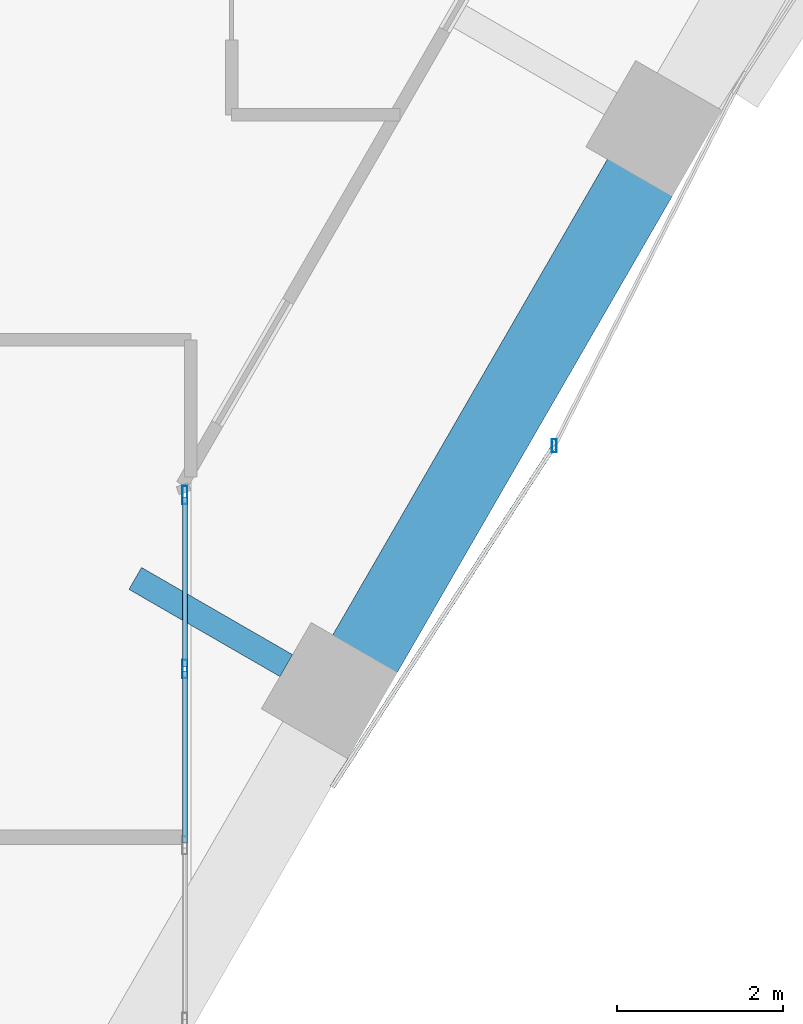
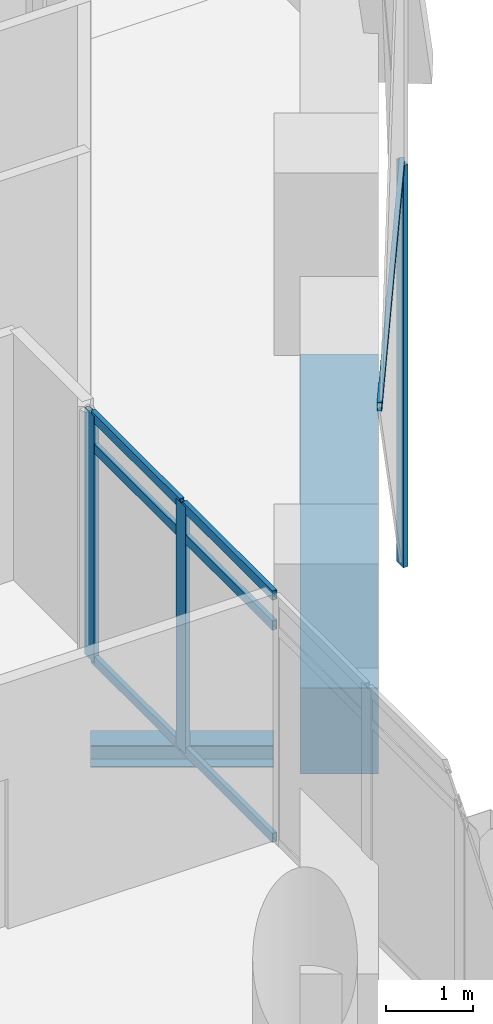
# One storey, part 13 of 38: 10 members, 2 beams, 3 elements without a shape of their own.
"""IFC4 building model written with IfcOpenShell, lengths in metres."""

from ifc_helpers import new_model, si_unit, direction, frame, origin, origin_2d, place, context, subcontext, project, spatial, rectangle, hollow_rectangle, i_section, extrude, material, material_profile, profile_set, type_object, element, aggregate, save


model = new_model("IFC4")

# Units and contexts
model_context = context("Model", 3, precision=1e-05, world=origin(), true_north=direction((0.0, 1.0)))
body_context = subcontext(model_context, "Body", "Model", "MODEL_VIEW")
ifc_project = project(units=[si_unit("LENGTHUNIT", "METRE"), si_unit("AREAUNIT", "SQUARE_METRE"), si_unit("VOLUMEUNIT", "CUBIC_METRE"), si_unit("PLANEANGLEUNIT", "RADIAN"), si_unit("MASSUNIT", "GRAM", prefix="KILO")], contexts=[model_context])

# Site, building, storey
site_placement = place(None, origin())
site = spatial("IfcSite", under=ifc_project, at=site_placement, CompositionType="ELEMENT")
building_placement = place(site_placement, origin())
building = spatial("IfcBuilding", under=site, at=building_placement, Name="Ostrander Bayou Hotel Tower", CompositionType="ELEMENT")
storey_placement = place(building_placement, frame((0.0, 0.0, 96.75)))
storey = spatial("IfcBuildingStorey", under=building, at=storey_placement, Name="L24", CompositionType="ELEMENT", Elevation=96.75)

# Curtain wall, members
ifc_material_1 = material(Name="Aluminium and clear glass", Category="aluminium")
curtain_wall_type_1 = type_object("IfcCurtainWallType", Name="CW-BAR glazed wall", PredefinedType="NOTDEFINED", material=ifc_material_1)
curtain_wall_1_placement = place(storey_placement, origin())
curtain_wall_1 = element("IfcCurtainWall", 1, at=curtain_wall_1_placement, inside=storey, type_object=curtain_wall_type_1, Name="CW-BAR L24:SB2S:W", PredefinedType="NOTDEFINED")
ifc_material_2 = material(Name="Aluminium", Category="aluminium")
ifc_material_profile_1 = material_profile(ifc_material_2, hollow_rectangle(XDim=0.06005859375, YDim=0.219970703125, WallThickness=0.00390625, at=origin_2d()))
ifc_profile_set_1 = profile_set([ifc_material_profile_1], Name="Aluminium")
member_type_1 = type_object("IfcMemberType", Name="CW-BR mullion 60 x 220 mm", PredefinedType="MULLION", material=ifc_profile_set_1)
member_1_placement = place(storey_placement, frame((13.3671875, -10.877197265625, 0.0), z_axis=(0.0, 0.0, 1.0), x_axis=(1.0, 0.0, 0.0)))
member_1 = element("IfcMember", 2, at=member_1_placement, type_object=member_type_1, Name="CW-BAR mullion 1", PredefinedType="MULLION", context=body_context, shape_type="SweptSolid", body=[
    extrude(hollow_rectangle(XDim=0.06005859375, YDim=0.219970703125, WallThickness=0.00390625, at=origin_2d()), origin(), (0.0, 0.0, 1.0), 3.449951171875),
])
member_2_placement = place(storey_placement, frame((13.3671875, -12.972412109375, 0.0), z_axis=(0.0, 0.0, 1.0), x_axis=(1.0, 0.0, 0.0)))
member_2 = element("IfcMember", 3, at=member_2_placement, type_object=member_type_1, Name="CW-BAR mullion 2", PredefinedType="MULLION", context=body_context, shape_type="SweptSolid", body=[
    extrude(hollow_rectangle(XDim=0.06005859375, YDim=0.219970703125, WallThickness=0.00390625, at=origin_2d()), origin(), (0.0, 0.0, 1.0), 3.449951171875),
])
ifc_material_3 = material(Name="Aluminium", Category="aluminium")
ifc_material_profile_2 = material_profile(ifc_material_3, hollow_rectangle(XDim=0.06005859375, YDim=0.1298828125, WallThickness=0.00390625, at=origin_2d()))
ifc_profile_set_2 = profile_set([ifc_material_profile_2], Name="Aluminium")
member_type_2 = type_object("IfcMemberType", Name="CW-BR transom 60 x 130 mm", PredefinedType="USERDEFINED", material=ifc_profile_set_2)
member_3_placement = place(storey_placement, frame((13.3671875, -10.9072265625, 0.030029296875), z_axis=(0.0, -1.0, 0.0), x_axis=(1.0, 0.0, 0.0)))
member_3 = element("IfcMember", 4, at=member_3_placement, type_object=member_type_2, Name="CW-BAR transom 1.1", ObjectType="TRANSOM", PredefinedType="USERDEFINED", context=body_context, shape_type="SweptSolid", body=[
    extrude(hollow_rectangle(XDim=0.06005859375, YDim=0.1298828125, WallThickness=0.00390625, at=origin_2d()), origin(), (0.0, 0.0, 1.0), 2.03515625),
])
member_4_placement = place(storey_placement, frame((13.3671875, -10.9072265625, 3.0), z_axis=(0.0, -1.0, 0.0), x_axis=(1.0, 0.0, 0.0)))
member_4 = element("IfcMember", 5, at=member_4_placement, type_object=member_type_2, Name="CW-BAR transom 1.2", ObjectType="TRANSOM", PredefinedType="USERDEFINED", context=body_context, shape_type="SweptSolid", body=[
    extrude(hollow_rectangle(XDim=0.06005859375, YDim=0.1298828125, WallThickness=0.00390625, at=origin_2d()), origin(), (0.0, 0.0, 1.0), 2.03515625),
])
member_5_placement = place(storey_placement, frame((13.3671875, -10.9072265625, 3.419921875), z_axis=(0.0, -1.0, 0.0), x_axis=(1.0, 0.0, 0.0)))
member_5 = element("IfcMember", 6, at=member_5_placement, type_object=member_type_2, Name="CW-BAR transom 1.3", ObjectType="TRANSOM", PredefinedType="USERDEFINED", context=body_context, shape_type="SweptSolid", body=[
    extrude(hollow_rectangle(XDim=0.06005859375, YDim=0.1298828125, WallThickness=0.00390625, at=origin_2d()), origin(), (0.0, 0.0, 1.0), 2.03515625),
])
member_6_placement = place(storey_placement, frame((13.3671875, -13.00244140625, 0.030029296875), z_axis=(0.0, -1.0, 0.0), x_axis=(1.0, 0.0, 0.0)))
member_6 = element("IfcMember", 7, at=member_6_placement, type_object=member_type_2, Name="CW-BAR transom 2.1", ObjectType="TRANSOM", PredefinedType="USERDEFINED", context=body_context, shape_type="SweptSolid", body=[
    extrude(hollow_rectangle(XDim=0.06005859375, YDim=0.1298828125, WallThickness=0.00390625, at=origin_2d()), origin(), (0.0, 0.0, 1.0), 2.06494140625),
])
member_7_placement = place(storey_placement, frame((13.3671875, -13.00244140625, 3.0), z_axis=(0.0, -1.0, 0.0), x_axis=(1.0, 0.0, 0.0)))
member_7 = element("IfcMember", 8, at=member_7_placement, type_object=member_type_2, Name="CW-BAR transom 2.2", ObjectType="TRANSOM", PredefinedType="USERDEFINED", context=body_context, shape_type="SweptSolid", body=[
    extrude(hollow_rectangle(XDim=0.06005859375, YDim=0.1298828125, WallThickness=0.00390625, at=origin_2d()), origin(), (0.0, 0.0, 1.0), 2.06494140625),
])
member_8_placement = place(storey_placement, frame((13.3671875, -13.00244140625, 3.419921875), z_axis=(0.0, -1.0, 0.0), x_axis=(1.0, 0.0, 0.0)))
member_8 = element("IfcMember", 9, at=member_8_placement, type_object=member_type_2, Name="CW-BAR transom 2.3", ObjectType="TRANSOM", PredefinedType="USERDEFINED", context=body_context, shape_type="SweptSolid", body=[
    extrude(hollow_rectangle(XDim=0.06005859375, YDim=0.1298828125, WallThickness=0.00390625, at=origin_2d()), origin(), (0.0, 0.0, 1.0), 2.06494140625),
])
aggregate(curtain_wall_1, [member_1, member_2, member_3, member_4, member_5, member_6, member_7, member_8])

# Curtain wall, member
ifc_material_4 = material(Name="Aluminium and clear glass", Category="aluminium")
curtain_wall_type_2 = type_object("IfcCurtainWallType", Name="CW-LAT lattice glazing", PredefinedType="NOTDEFINED", material=ifc_material_4)
curtain_wall_2_placement = place(storey_placement, origin())
curtain_wall_2 = element("IfcCurtainWall", 10, at=curtain_wall_2_placement, inside=storey, type_object=curtain_wall_type_2, Name="CW-LAT L24 SE 1", PredefinedType="NOTDEFINED")
ifc_material_5 = material(Name="Aluminium", Category="aluminium")
ifc_material_profile_3 = material_profile(ifc_material_5, hollow_rectangle(XDim=0.06005859375, YDim=0.159912109375, WallThickness=0.00390625, at=origin_2d()))
ifc_profile_set_3 = profile_set([ifc_material_profile_3], Name="Aluminium")
member_type_3 = type_object("IfcMemberType", Name="CW-LA mullion 60 x 160 mm", PredefinedType="MULLION", material=ifc_profile_set_3)
member_9_placement = place(storey_placement, frame((17.814208984375, -10.284912109375, -0.60009765625), z_axis=(0.0, 0.0, 1.0), x_axis=(1.0, 0.0, 0.0)))
member_9 = element("IfcMember", 11, at=member_9_placement, type_object=member_type_3, Name="CW-LAT mullion 1", PredefinedType="MULLION", context=body_context, shape_type="SweptSolid", body=[
    extrude(hollow_rectangle(XDim=0.06005859375, YDim=0.159912109375, WallThickness=0.00390625, at=origin_2d()), origin(), (0.0, 0.0, 1.0), 5.625),
])
aggregate(curtain_wall_2, [member_9])

curtain_wall_3_placement = place(storey_placement, origin())
curtain_wall_3 = element("IfcCurtainWall", 12, at=curtain_wall_3_placement, inside=storey, type_object=curtain_wall_type_2, Name="CW-LAT L24 SE 2", PredefinedType="NOTDEFINED")
ifc_material_6 = material(Name="Aluminium", Category="aluminium")
ifc_material_profile_4 = material_profile(ifc_material_6, hollow_rectangle(XDim=0.06005859375, YDim=0.1201171875, WallThickness=0.00390625, at=origin_2d()))
ifc_profile_set_4 = profile_set([ifc_material_profile_4], Name="Aluminium")
member_type_4 = type_object("IfcMemberType", Name="CW-LA transom 60 x 120 mm", PredefinedType="USERDEFINED", material=ifc_profile_set_4)
member_10_placement = place(storey_placement, frame((17.814208984375, -10.284912109375, 5.02490234375), z_axis=(-0.545042556761, -0.8384083798, 0.0), x_axis=(0.8384083798, -0.545042556761, 0.0)))
member_10 = element("IfcMember", 13, at=member_10_placement, type_object=member_type_4, Name="CW-LAT transom 3", ObjectType="TRANSOM", PredefinedType="USERDEFINED", context=body_context, shape_type="SweptSolid", body=[
    extrude(hollow_rectangle(XDim=0.06005859375, YDim=0.1201171875, WallThickness=0.00390625, at=origin_2d()), origin(), (0.0, 0.0, 1.0), 4.907470703125),
])
aggregate(curtain_wall_3, [member_10])

# Beams
ifc_material_7 = material(Name="Steel ASTM A992", Category="steel")
ifc_material_profile_5 = material_profile(ifc_material_7, i_section(OverallWidth=0.3046875, OverallDepth=0.307861328125, WebThickness=0.010009765625, FlangeThickness=0.015380859375, at=origin_2d()))
ifc_profile_set_5 = profile_set([ifc_material_profile_5], Name="Steel ASTM A992")
beam_type_1 = type_object("IfcBeamType", Name="LB1 loggia bracket W12x65", PredefinedType="BEAM", material=ifc_profile_set_5)
beam_1_placement = place(storey_placement, frame((14.587646484375, -12.933349609375, -0.453857421875), z_axis=(-0.866009402589, 0.500027713859, 0.0), x_axis=(-0.500027713859, -0.866009402589, 0.0)))
element("IfcBeam", 14, at=beam_1_placement, inside=storey, type_object=beam_type_1, Name="LB1 L24 SE1", PredefinedType="BEAM", context=body_context, shape_type="SweptSolid", body=[
    extrude(i_section(OverallWidth=0.3046875, OverallDepth=0.307861328125, WebThickness=0.010009765625, FlangeThickness=0.015380859375, at=origin_2d()), origin(), (0.0, 0.0, 1.0), 2.10009765625),
])
ifc_material_8 = material(Name="Concrete f'c 70 MPa", Category="concrete")
ifc_material_profile_6 = material_profile(ifc_material_8, rectangle(XDim=0.89990234375, YDim=1.199951171875, at=origin_2d()))
ifc_profile_set_6 = profile_set([ifc_material_profile_6], Name="Concrete f'c 70 MPa")
beam_type_2 = type_object("IfcBeamType", Name="SP2 spandrel beam 900 x 1200 mm f'c 70 MPa", PredefinedType="SPANDREL", material=ifc_profile_set_6)
beam_2_placement = place(storey_placement, frame((15.522216796875, -12.814697265625, -0.60009765625), z_axis=(0.499999023957, 0.866025967302, 0.0), x_axis=(-0.866025967302, 0.499999023957, 0.0)))
element("IfcBeam", 15, at=beam_2_placement, inside=storey, type_object=beam_type_2, Name="SP2 L24 SE-2", PredefinedType="SPANDREL", context=body_context, shape_type="SweptSolid", body=[
    extrude(rectangle(XDim=0.89990234375, YDim=1.199951171875, at=origin_2d()), origin(), (0.0, 0.0, 1.0), 6.67333984375),
])

save(model, "model.ifc")
